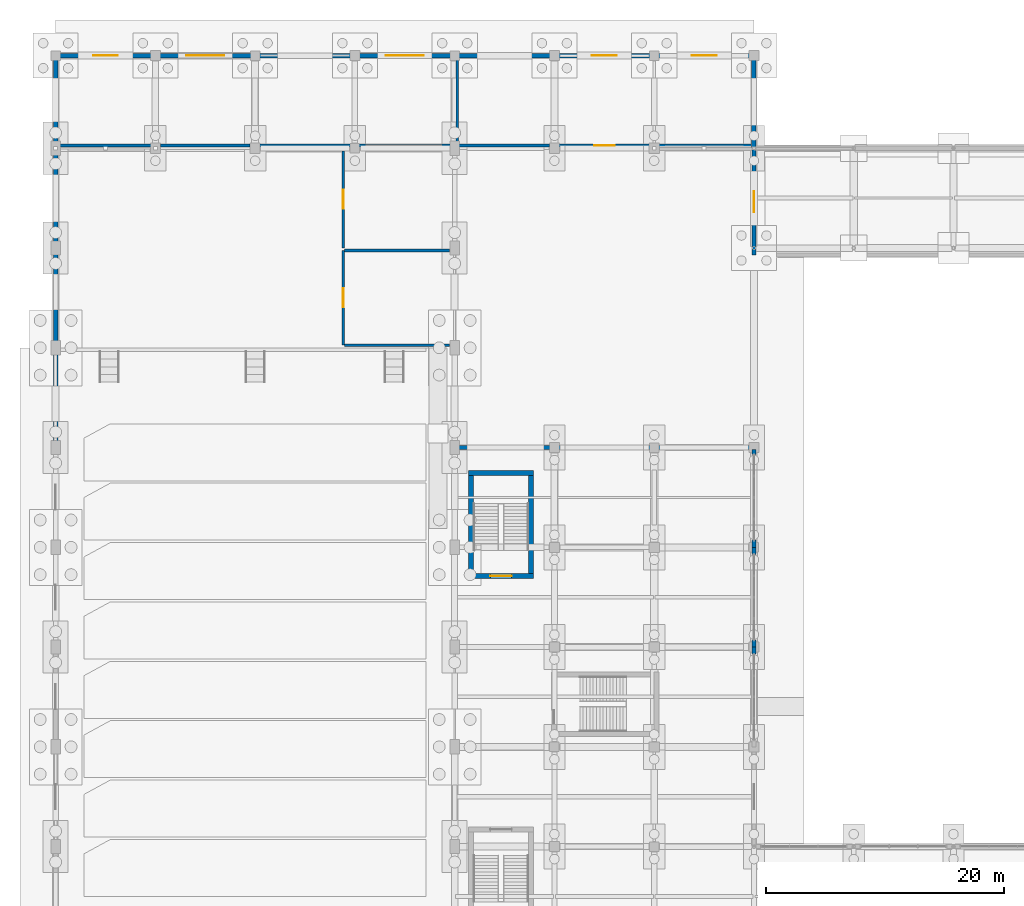
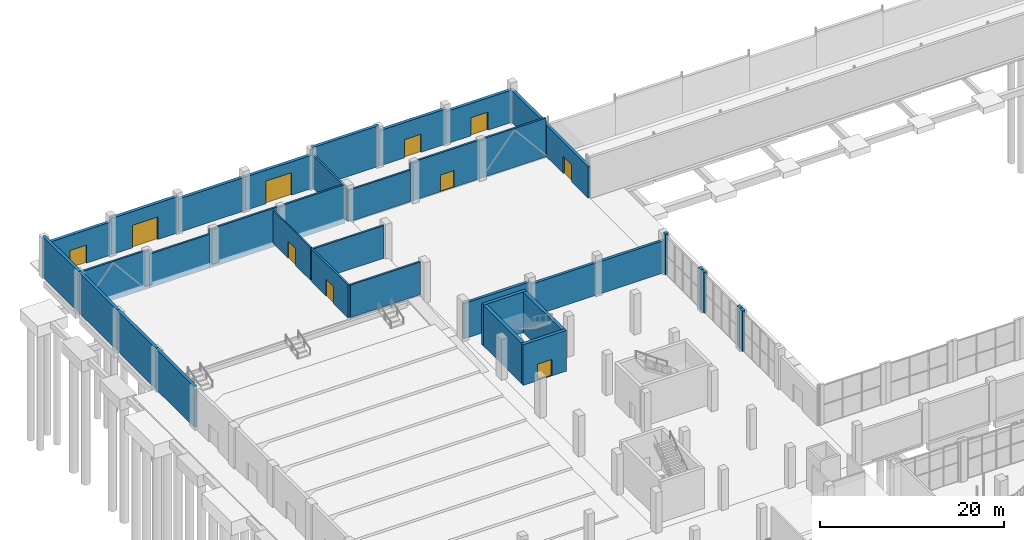
# One storey, part 69 of 82: 34 walls, 10 doors, 10 openings.
"""IFC4 building model written with IfcOpenShell, lengths in metres."""

from ifc_helpers import new_model, si_unit, derived_unit, direction, frame, frame_2d, origin, place, context, subcontext, project, spatial, rectangle, extrude, material, layer, layer_set, type_object, element, fill, save


model = new_model("IFC4")

# Units and contexts
model_context = context("Model", 3, precision=1e-05, world=origin(), true_north=direction((0.0, 1.0)))
body_context = subcontext(model_context, "Body", "Model", "MODEL_VIEW")
ifc_project = project(units=[si_unit("LENGTHUNIT", "METRE"), si_unit("AREAUNIT", "SQUARE_METRE"), si_unit("VOLUMEUNIT", "CUBIC_METRE"), si_unit("PLANEANGLEUNIT", "RADIAN"), si_unit("MASSUNIT", "GRAM", prefix="KILO"), derived_unit("THERMALTRANSMITTANCEUNIT", [(si_unit("POWERUNIT", "WATT"), 1), (si_unit("LENGTHUNIT", "METRE"), -2), (si_unit("THERMODYNAMICTEMPERATUREUNIT", "KELVIN"), -1)])], contexts=[model_context])

# Site, building, storey
site_placement = place(None, origin())
site = spatial("IfcSite", under=ifc_project, at=site_placement, CompositionType="ELEMENT")
building_placement = place(site_placement, origin())
building = spatial("IfcBuilding", under=site, at=building_placement, Name="Barrovel Congress Hotel", CompositionType="ELEMENT")
storey_placement = place(building_placement, origin())
storey = spatial("IfcBuildingStorey", under=building, at=storey_placement, Name="L00", CompositionType="ELEMENT", Elevation=0.0)

# Walls
ifc_material_1 = material(Name="Fired Clay Brick Masonry", Category="masonry")
ifc_layer_1 = layer(ifc_material_1, 0.340087890625)
ifc_layer_set_1 = layer_set([ifc_layer_1], Name="Fired Clay Brick Masonry")
wall_type_1 = type_object("IfcWallType", Name="EW-BRK340", PredefinedType="STANDARD", material=ifc_layer_set_1)
for number, where, z_axis, x_axis, name in (
    (1, (58.800048828125, 62.39990234375, 0.0), (0.0, 0.0, 1.0), (0.0, 1.0, 0.0), "EW:L00:CWJ-B:54.6"),
    (2, (58.800048828125, 63.0, 0.0), (0.0, 0.0, 1.0), (0.0, 1.0, 0.0), "EW:L00:CWJ-A:63.0"),
):
    element("IfcWall", number, at=place(storey_placement, frame(where, z_axis=z_axis, x_axis=x_axis)), inside=storey, type_object=wall_type_1, Name=name, PredefinedType="STANDARD", context=body_context, shape_type="SweptSolid", body=[
        extrude(rectangle(XDim=0.60009765625, YDim=0.340087890625, at=frame_2d((0.300048828125, 0.0))), origin(), (0.0, 0.0, 1.0), 5.39990234375),
    ])
wall_1_placement = place(storey_placement, frame((58.800048828125, 70.800048828125, 0.0), z_axis=(0.0, 0.0, 1.0), x_axis=(0.0, 1.0, 0.0)))
element("IfcWall", 3, at=wall_1_placement, inside=storey, type_object=wall_type_1, Name="EW:L00:CWJ-B:63.0", PredefinedType="STANDARD", context=body_context, shape_type="SweptSolid", body=[
    extrude(rectangle(XDim=0.599853515625, YDim=0.340087890625, at=frame_2d((0.2998046875, 0.0))), origin(), (0.0, 0.0, 1.0), 5.39990234375),
])
wall_2_placement = place(storey_placement, frame((58.800048828125, 71.39990234375, 0.0), z_axis=(0.0, 0.0, 1.0), x_axis=(0.0, 1.0, 0.0)))
element("IfcWall", 4, at=wall_2_placement, inside=storey, type_object=wall_type_1, Name="EW:L00:CWJ-A:71.4", PredefinedType="STANDARD", context=body_context, shape_type="SweptSolid", body=[
    extrude(rectangle(XDim=0.60009765625, YDim=0.340087890625, at=frame_2d((0.300048828125, 0.0))), origin(), (0.0, 0.0, 1.0), 5.39990234375),
])
wall_3_placement = place(storey_placement, frame((58.800048828125, 79.199951171875, 0.0), z_axis=(0.0, 0.0, 1.0), x_axis=(0.0, 1.0, 0.0)))
element("IfcWall", 5, at=wall_3_placement, inside=storey, type_object=wall_type_1, Name="EW:L00:CWJ-B:71.4", PredefinedType="STANDARD", context=body_context, shape_type="SweptSolid", body=[
    extrude(rectangle(XDim=0.429931640625, YDim=0.340087890625, at=frame_2d((0.21484375, 0.0))), origin(), (0.0, 0.0, 1.0), 5.39990234375),
])
wall_4_placement = place(storey_placement, frame((58.800048828125, 79.800048828125, 0.0), z_axis=(0.0, 0.0, 1.0), x_axis=(-1.0, 0.0, 0.0)))
element("IfcWall", 6, at=wall_4_placement, inside=storey, type_object=wall_type_1, Name="EW:L00:FOYN", PredefinedType="STANDARD", context=body_context, shape_type="SweptSolid", body=[
    extrude(rectangle(XDim=16.800048828125, YDim=0.340087890625, at=frame_2d((8.39990234375, 0.0))), origin(), (0.0, 0.0, 1.0), 4.2900390625),
])

# Wall, opening, door
wall_5_placement = place(storey_placement, frame((58.800048828125, 105.0, 0.0), z_axis=(0.0, 0.0, 1.0), x_axis=(0.0, -1.0, 0.0)))
wall_5 = element("IfcWall", 7, at=wall_5_placement, inside=storey, type_object=wall_type_1, Name="EW:L00:NPV-W", PredefinedType="STANDARD", context=body_context, shape_type="SweptSolid", body=[
    extrude(rectangle(XDim=9.0, YDim=0.340087890625, at=frame_2d((4.5, 0.0))), origin(), (0.0, 0.0, 1.0), 4.18994140625),
])
opening_1_placement = place(wall_5_placement, frame((3.60009765625, 0.0, 0.0)))
opening_1 = element("IfcOpeningElement", 8, at=opening_1_placement, cuts=wall_5, Name="Opening ED-03", PredefinedType="OPENING", context=body_context, shape_type="SweptSolid", body=[
    extrude(rectangle(XDim=1.800048828125, YDim=2.300048828125, at=frame_2d((0.89990234375, 1.14990234375))), frame((0.0, 0.18017578125, 0.0), z_axis=(0.0, -1.0, 0.0), x_axis=(1.0, 0.0, 0.0)), (0.0, 0.0, 1.0), 0.360107421875),
])
ifc_material_2 = material(Name="Anodised Aluminium Glazed Door", Category="aluminium")
door_type_1 = type_object("IfcDoorType", Name="EDR-ED-03", OperationType="NOTDEFINED", PredefinedType="DOOR", material=ifc_material_2)
door_1_placement = place(opening_1_placement, origin())
door_1 = element("IfcDoor", 9, at=door_1_placement, inside=storey, type_object=door_type_1, Name="L00 North Pavilion West Link Door", OperationType="DOUBLE_DOOR_SINGLE_SWING", OverallHeight=2.300048828125, OverallWidth=1.800048828125, PredefinedType="DOOR", context=body_context, shape_type="SweptSolid", body=[
    extrude(rectangle(XDim=1.800048828125, YDim=2.300048828125, at=frame_2d((0.89990234375, 1.14990234375))), frame((0.0, 0.02490234375, 0.0), z_axis=(0.0, -1.0, 0.0), x_axis=(1.0, 0.0, 0.0)), (0.0, 0.0, 1.0), 0.050048828125),
])
fill(opening_1, door_1)

# Wall
wall_6_placement = place(storey_placement, frame((42.0, 79.800048828125, 0.0), z_axis=(0.0, 0.0, 1.0), x_axis=(-1.0, 0.0, 0.0)))
element("IfcWall", 10, at=wall_6_placement, inside=storey, type_object=wall_type_1, Name="EW:L00:FOYN:P02", PredefinedType="STANDARD", context=body_context, shape_type="SweptSolid", body=[
    extrude(rectangle(XDim=8.39990234375, YDim=0.340087890625, at=frame_2d((4.199951171875, 0.0))), origin(), (0.0, 0.0, 1.0), 4.679931640625),
])

# Wall, opening, door
ifc_layer_2 = layer(ifc_material_1, 0.3798828125)
ifc_layer_set_2 = layer_set([ifc_layer_2], Name="Fired Clay Brick Masonry")
wall_type_2 = type_object("IfcWallType", Name="EW-BRK380", PredefinedType="STANDARD", material=ifc_layer_set_2)
wall_7_placement = place(storey_placement, frame((58.800048828125, 112.800048828125, 0.0), z_axis=(0.0, 0.0, 1.0), x_axis=(-1.0, 0.0, 0.0)))
wall_7 = element("IfcWall", 11, at=wall_7_placement, inside=storey, type_object=wall_type_2, Name="EW:L00:DOCKN:6", PredefinedType="STANDARD", context=body_context, shape_type="SweptSolid", body=[
    extrude(rectangle(XDim=8.400146484375, YDim=0.3798828125, at=frame_2d((4.2001953125, 0.0))), origin(), (0.0, 0.0, 1.0), 4.2900390625),
])
opening_2_placement = place(wall_7_placement, frame((5.25, 0.0, 0.0), z_axis=(0.0, 0.0, 1.0), x_axis=(-1.0, 0.0, 0.0)))
opening_2 = element("IfcOpeningElement", 12, at=opening_2_placement, cuts=wall_7, Name="Opening ED-01", PredefinedType="OPENING", context=body_context, shape_type="SweptSolid", body=[
    extrude(rectangle(XDim=2.10009765625, YDim=2.39990234375, at=frame_2d((1.050048828125, 1.199951171875))), frame((0.0, 0.199951171875, 0.0), z_axis=(0.0, -1.0, 0.0), x_axis=(1.0, 0.0, 0.0)), (0.0, 0.0, 1.0), 0.39990234375),
])
door_type_2 = type_object("IfcDoorType", Name="EDR-ED-01", OperationType="NOTDEFINED", PredefinedType="DOOR", material=ifc_material_2)
door_2_placement = place(opening_2_placement, origin())
door_2 = element("IfcDoor", 13, at=door_2_placement, inside=storey, type_object=door_type_2, Name="Grade Exit Door E-07", OperationType="DOUBLE_DOOR_SINGLE_SWING", OverallHeight=2.39990234375, OverallWidth=2.10009765625, PredefinedType="DOOR", context=body_context, shape_type="SweptSolid", body=[
    extrude(rectangle(XDim=2.10009765625, YDim=2.39990234375, at=frame_2d((1.050048828125, 1.199951171875))), frame((0.0, 0.02490234375, 0.0), z_axis=(0.0, -1.0, 0.0), x_axis=(1.0, 0.0, 0.0)), (0.0, 0.0, 1.0), 0.050048828125),
])
fill(opening_2, door_2)

wall_8_placement = place(storey_placement, frame((50.39990234375, 112.800048828125, 0.0), z_axis=(0.0, 0.0, 1.0), x_axis=(-1.0, 0.0, 0.0)))
wall_8 = element("IfcWall", 14, at=wall_8_placement, inside=storey, type_object=wall_type_2, Name="EW:L00:DOCKN:5", PredefinedType="STANDARD", context=body_context, shape_type="SweptSolid", body=[
    extrude(rectangle(XDim=8.39990234375, YDim=0.3798828125, at=frame_2d((4.199951171875, 0.0))), origin(), (0.0, 0.0, 1.0), 4.679931640625),
])
opening_3_placement = place(wall_8_placement, frame((5.25, 0.0, 0.0), z_axis=(0.0, 0.0, 1.0), x_axis=(-1.0, 0.0, 0.0)))
opening_3 = element("IfcOpeningElement", 15, at=opening_3_placement, cuts=wall_8, Name="Opening ED-01", PredefinedType="OPENING", context=body_context, shape_type="SweptSolid", body=[
    extrude(rectangle(XDim=2.10009765625, YDim=2.39990234375, at=frame_2d((1.050048828125, 1.199951171875))), frame((0.0, 0.199951171875, 0.0), z_axis=(0.0, -1.0, 0.0), x_axis=(1.0, 0.0, 0.0)), (0.0, 0.0, 1.0), 0.39990234375),
])
door_3_placement = place(opening_3_placement, origin())
door_3 = element("IfcDoor", 16, at=door_3_placement, inside=storey, type_object=door_type_2, Name="Grade Exit Door E-08", OperationType="DOUBLE_DOOR_SINGLE_SWING", OverallHeight=2.39990234375, OverallWidth=2.10009765625, PredefinedType="DOOR", context=body_context, shape_type="SweptSolid", body=[
    extrude(rectangle(XDim=2.10009765625, YDim=2.39990234375, at=frame_2d((1.050048828125, 1.199951171875))), frame((0.0, 0.02490234375, 0.0), z_axis=(0.0, -1.0, 0.0), x_axis=(1.0, 0.0, 0.0)), (0.0, 0.0, 1.0), 0.050048828125),
])
fill(opening_3, door_3)

# Wall
wall_9_placement = place(storey_placement, frame((42.0, 112.800048828125, 0.0), z_axis=(0.0, 0.0, 1.0), x_axis=(-1.0, 0.0, 0.0)))
element("IfcWall", 17, at=wall_9_placement, inside=storey, type_object=wall_type_2, Name="EW:L00:DOCKN:4", PredefinedType="STANDARD", context=body_context, shape_type="SweptSolid", body=[
    extrude(rectangle(XDim=8.39990234375, YDim=0.3798828125, at=frame_2d((4.199951171875, 0.0))), origin(), (0.0, 0.0, 1.0), 5.39990234375),
])

# Wall, opening, door
wall_10_placement = place(storey_placement, frame((33.60009765625, 112.800048828125, 0.0), z_axis=(0.0, 0.0, 1.0), x_axis=(-1.0, 0.0, 0.0)))
wall_10 = element("IfcWall", 18, at=wall_10_placement, inside=storey, type_object=wall_type_2, Name="EW:L00:DOCKN:3", PredefinedType="STANDARD", context=body_context, shape_type="SweptSolid", body=[
    extrude(rectangle(XDim=8.400146484375, YDim=0.3798828125, at=frame_2d((4.2001953125, 0.0))), origin(), (0.0, 0.0, 1.0), 4.43994140625),
])
opening_4_placement = place(wall_10_placement, frame((5.800048828125, 0.0, 0.0), z_axis=(0.0, 0.0, 1.0), x_axis=(-1.0, 0.0, 0.0)))
opening_4 = element("IfcOpeningElement", 19, at=opening_4_placement, cuts=wall_10, Name="Opening ED-05", PredefinedType="OPENING", context=body_context, shape_type="SweptSolid", body=[
    extrude(rectangle(XDim=3.199951171875, YDim=3.0, at=frame_2d((1.60009765625, 1.5))), frame((0.0, 0.199951171875, 0.0), z_axis=(0.0, -1.0, 0.0), x_axis=(1.0, 0.0, 0.0)), (0.0, 0.0, 1.0), 0.39990234375),
])
ifc_material_3 = material(Name="Painted Hollow-Metal Steel Door", Category="steel")
door_type_3 = type_object("IfcDoorType", Name="EDR-ED-05", OperationType="NOTDEFINED", PredefinedType="DOOR", material=ifc_material_3)
door_4_placement = place(opening_4_placement, origin())
door_4 = element("IfcDoor", 20, at=door_4_placement, inside=storey, type_object=door_type_3, Name="Loading Dock Marshalling Door 3", OperationType="DOUBLE_DOOR_SINGLE_SWING", OverallHeight=3.0, OverallWidth=3.199951171875, PredefinedType="DOOR", context=body_context, shape_type="SweptSolid", body=[
    extrude(rectangle(XDim=3.199951171875, YDim=3.0, at=frame_2d((1.60009765625, 1.5))), frame((0.0, 0.02490234375, 0.0), z_axis=(0.0, -1.0, 0.0), x_axis=(1.0, 0.0, 0.0)), (0.0, 0.0, 1.0), 0.050048828125),
])
fill(opening_4, door_4)

# Wall
wall_11_placement = place(storey_placement, frame((25.199951171875, 112.800048828125, 0.0), z_axis=(0.0, 0.0, 1.0), x_axis=(-1.0, 0.0, 0.0)))
element("IfcWall", 21, at=wall_11_placement, inside=storey, type_object=wall_type_2, Name="EW:L00:DOCKN:2", PredefinedType="STANDARD", context=body_context, shape_type="SweptSolid", body=[
    extrude(rectangle(XDim=8.39990234375, YDim=0.3798828125, at=frame_2d((4.199951171875, 0.0))), origin(), (0.0, 0.0, 1.0), 4.4560546875),
])

# Wall, opening, door
wall_12_placement = place(storey_placement, frame((16.800048828125, 112.800048828125, 0.0), z_axis=(0.0, 0.0, 1.0), x_axis=(-1.0, 0.0, 0.0)))
wall_12 = element("IfcWall", 22, at=wall_12_placement, inside=storey, type_object=wall_type_2, Name="EW:L00:DOCKN:1", PredefinedType="STANDARD", context=body_context, shape_type="SweptSolid", body=[
    extrude(rectangle(XDim=8.400146484375, YDim=0.3798828125, at=frame_2d((4.2001953125, 0.0))), origin(), (0.0, 0.0, 1.0), 4.830078125),
])
opening_5_placement = place(wall_12_placement, frame((5.800048828125, 0.0, 0.0), z_axis=(0.0, 0.0, 1.0), x_axis=(-1.0, 0.0, 0.0)))
opening_5 = element("IfcOpeningElement", 23, at=opening_5_placement, cuts=wall_12, Name="Opening ED-05", PredefinedType="OPENING", context=body_context, shape_type="SweptSolid", body=[
    extrude(rectangle(XDim=3.199951171875, YDim=3.0, at=frame_2d((1.60009765625, 1.5))), frame((0.0, 0.199951171875, 0.0), z_axis=(0.0, -1.0, 0.0), x_axis=(1.0, 0.0, 0.0)), (0.0, 0.0, 1.0), 0.39990234375),
])
door_5_placement = place(opening_5_placement, origin())
door_5 = element("IfcDoor", 24, at=door_5_placement, inside=storey, type_object=door_type_3, Name="Loading Dock Marshalling Door 1", OperationType="DOUBLE_DOOR_SINGLE_SWING", OverallHeight=3.0, OverallWidth=3.199951171875, PredefinedType="DOOR", context=body_context, shape_type="SweptSolid", body=[
    extrude(rectangle(XDim=3.199951171875, YDim=3.0, at=frame_2d((1.60009765625, 1.5))), frame((0.0, 0.02490234375, 0.0), z_axis=(0.0, -1.0, 0.0), x_axis=(1.0, 0.0, 0.0)), (0.0, 0.0, 1.0), 0.050048828125),
])
fill(opening_5, door_5)

wall_13_placement = place(storey_placement, frame((8.39990234375, 112.800048828125, 0.0), z_axis=(0.0, 0.0, 1.0), x_axis=(-1.0, 0.0, 0.0)))
wall_13 = element("IfcWall", 25, at=wall_13_placement, inside=storey, type_object=wall_type_2, Name="EW:L00:DOCKN:0", PredefinedType="STANDARD", context=body_context, shape_type="SweptSolid", body=[
    extrude(rectangle(XDim=8.39990234375, YDim=0.3798828125, at=frame_2d((4.199951171875, 0.0))), origin(), (0.0, 0.0, 1.0), 4.389892578125),
])
opening_6_placement = place(wall_13_placement, frame((5.25, 0.0, 0.0), z_axis=(0.0, 0.0, 1.0), x_axis=(-1.0, 0.0, 0.0)))
opening_6 = element("IfcOpeningElement", 26, at=opening_6_placement, cuts=wall_13, Name="Opening ED-01", PredefinedType="OPENING", context=body_context, shape_type="SweptSolid", body=[
    extrude(rectangle(XDim=2.10009765625, YDim=2.39990234375, at=frame_2d((1.050048828125, 1.199951171875))), frame((0.0, 0.199951171875, 0.0), z_axis=(0.0, -1.0, 0.0), x_axis=(1.0, 0.0, 0.0)), (0.0, 0.0, 1.0), 0.39990234375),
])
door_6_placement = place(opening_6_placement, origin())
door_6 = element("IfcDoor", 27, at=door_6_placement, inside=storey, type_object=door_type_2, Name="Grade Exit Door E-09", OperationType="DOUBLE_DOOR_SINGLE_SWING", OverallHeight=2.39990234375, OverallWidth=2.10009765625, PredefinedType="DOOR", context=body_context, shape_type="SweptSolid", body=[
    extrude(rectangle(XDim=2.10009765625, YDim=2.39990234375, at=frame_2d((1.050048828125, 1.199951171875))), frame((0.0, 0.02490234375, 0.0), z_axis=(0.0, -1.0, 0.0), x_axis=(1.0, 0.0, 0.0)), (0.0, 0.0, 1.0), 0.050048828125),
])
fill(opening_6, door_6)

# Walls
wall_14_placement = place(storey_placement, frame((58.800048828125, 105.0, 0.0), z_axis=(0.0, 0.0, 1.0), x_axis=(0.0, 1.0, 0.0)))
element("IfcWall", 28, at=wall_14_placement, inside=storey, type_object=wall_type_2, Name="EW:L00:DOCKE", PredefinedType="STANDARD", context=body_context, shape_type="SweptSolid", body=[
    extrude(rectangle(XDim=7.800048828125, YDim=0.3798828125, at=frame_2d((3.89990234375, 0.0))), origin(), (0.0, 0.0, 1.0), 4.2900390625),
])
wall_15_placement = place(storey_placement, frame((0.0, 112.800048828125, 0.0), z_axis=(0.0, 0.0, 1.0), x_axis=(0.0, -1.0, 0.0)))
element("IfcWall", 29, at=wall_15_placement, inside=storey, type_object=wall_type_2, Name="EW:L00:V1W:105.0", PredefinedType="STANDARD", context=body_context, shape_type="SweptSolid", body=[
    extrude(rectangle(XDim=7.800048828125, YDim=0.3798828125, at=frame_2d((3.89990234375, 0.0))), origin(), (0.0, 0.0, 1.0), 5.39990234375),
])
wall_16_placement = place(storey_placement, frame((0.0, 105.0, 0.0), z_axis=(0.0, 0.0, 1.0), x_axis=(0.0, -1.0, 0.0)))
element("IfcWall", 30, at=wall_16_placement, inside=storey, type_object=wall_type_2, Name="EW:L00:V1W:96.6", PredefinedType="STANDARD", context=body_context, shape_type="SweptSolid", body=[
    extrude(rectangle(XDim=8.39990234375, YDim=0.3798828125, at=frame_2d((4.199951171875, 0.0))), origin(), (0.0, 0.0, 1.0), 5.39990234375),
])
wall_17_placement = place(storey_placement, frame((0.0, 96.60009765625, 0.0), z_axis=(0.0, 0.0, 1.0), x_axis=(0.0, -1.0, 0.0)))
element("IfcWall", 31, at=wall_17_placement, inside=storey, type_object=wall_type_2, Name="EW:L00:V1W:88.2", PredefinedType="STANDARD", context=body_context, shape_type="SweptSolid", body=[
    extrude(rectangle(XDim=8.400146484375, YDim=0.3798828125, at=frame_2d((4.2001953125, 0.0))), origin(), (0.0, 0.0, 1.0), 5.39990234375),
])
wall_18_placement = place(storey_placement, frame((0.0, 88.199951171875, 0.0), z_axis=(0.0, 0.0, 1.0), x_axis=(0.0, -1.0, 0.0)))
element("IfcWall", 32, at=wall_18_placement, inside=storey, type_object=wall_type_2, Name="EW:L00:V1W:79.8", PredefinedType="STANDARD", context=body_context, shape_type="SweptSolid", body=[
    extrude(rectangle(XDim=8.39990234375, YDim=0.3798828125, at=frame_2d((4.199951171875, 0.0))), origin(), (0.0, 0.0, 1.0), 5.39990234375),
])

# Wall, opening, door
ifc_material_4 = material(Name="Gypsum Acoustic Stud", Category="gypsum")
ifc_layer_3 = layer(ifc_material_4, 0.179931640625)
ifc_layer_set_3 = layer_set([ifc_layer_3], Name="Gypsum Acoustic Stud")
wall_type_3 = type_object("IfcWallType", Name="PW-ACU-180", PredefinedType="PARTITIONING", material=ifc_layer_set_3)
wall_19_placement = place(storey_placement, frame((24.219970703125, 96.6201171875, 0.800048828125), z_axis=(0.0, 0.0, 1.0), x_axis=(0.0, 1.0, 0.0)))
wall_19 = element("IfcWall", 33, at=wall_19_placement, inside=storey, type_object=wall_type_3, Name="RW:SP:L00:GRN-2:W", PredefinedType="PARTITIONING", context=body_context, shape_type="SweptSolid", body=[
    extrude(rectangle(XDim=8.159912109375, YDim=0.179931640625, at=frame_2d((4.080078125, 0.0))), origin(), (0.0, 0.0, 1.0), 4.3349609375),
])
opening_7_placement = place(wall_19_placement, frame((3.280029296875, 0.0, 0.0)))
opening_7 = element("IfcOpeningElement", 34, at=opening_7_placement, cuts=wall_19, Name="Opening ID-MTG", PredefinedType="OPENING", context=body_context, shape_type="SweptSolid", body=[
    extrude(rectangle(XDim=1.60009765625, YDim=2.25, at=frame_2d((0.800048828125, 1.125))), frame((0.0, 0.10009765625, 0.0), z_axis=(0.0, -1.0, 0.0), x_axis=(1.0, 0.0, 0.0)), (0.0, 0.0, 1.0), 0.199951171875),
])
ifc_material_5 = material(Name="Solid Oak Acoustic Timber Door", Category="wood")
door_type_4 = type_object("IfcDoorType", Name="IDR-ID-MTG", OperationType="NOTDEFINED", PredefinedType="DOOR", material=ifc_material_5)
door_7_placement = place(opening_7_placement, origin())
door_7 = element("IfcDoor", 35, at=door_7_placement, inside=storey, type_object=door_type_4, Name="RD:SP:L00:GRN-2", OperationType="DOUBLE_DOOR_SINGLE_SWING", OverallHeight=2.25, OverallWidth=1.60009765625, PredefinedType="DOOR", context=body_context, shape_type="SweptSolid", body=[
    extrude(rectangle(XDim=1.60009765625, YDim=2.25, at=frame_2d((0.800048828125, 1.125))), frame((0.0, 0.02490234375, 0.0), z_axis=(0.0, -1.0, 0.0), x_axis=(1.0, 0.0, 0.0)), (0.0, 0.0, 1.0), 0.050048828125),
])
fill(opening_7, door_7)

# Wall
ifc_layer_4 = layer(ifc_material_1, 0.239990234375)
ifc_layer_set_4 = layer_set([ifc_layer_4], Name="Fired Clay Brick Masonry")
wall_type_4 = type_object("IfcWallType", Name="PW-MAS-240", PredefinedType="PARTITIONING", material=ifc_layer_set_4)
wall_20_placement = place(storey_placement, frame((16.375, 105.219970703125, 0.0), z_axis=(0.0, 0.0, 1.0), x_axis=(1.0, 0.0, 0.0)))
element("IfcWall", 36, at=wall_20_placement, inside=storey, type_object=wall_type_4, Name="RW:SP:L00:DOCK:S", PredefinedType="PARTITIONING", context=body_context, shape_type="SweptSolid", body=[
    extrude(rectangle(XDim=17.0048828125, YDim=0.239990234375, at=frame_2d((8.50244140625, 0.0))), origin(), (0.0, 0.0, 1.0), 5.135009765625),
])

# Wall, opening, door
wall_21_placement = place(storey_placement, frame((41.574951171875, 105.219970703125, 0.0), z_axis=(0.0, 0.0, 1.0), x_axis=(1.0, 0.0, 0.0)))
wall_21 = element("IfcWall", 37, at=wall_21_placement, inside=storey, type_object=wall_type_4, Name="RW:SP:L00:AV-ST:S", PredefinedType="PARTITIONING", context=body_context, shape_type="SweptSolid", body=[
    extrude(rectangle(XDim=17.03515625, YDim=0.239990234375, at=frame_2d((8.517578125, 0.0))), origin(), (0.0, 0.0, 1.0), 5.135009765625),
])
opening_8_placement = place(wall_21_placement, frame((3.7900390625, 0.0, 0.0)))
opening_8 = element("IfcOpeningElement", 38, at=opening_8_placement, cuts=wall_21, Name="Opening ID-KIT", PredefinedType="OPENING", context=body_context, shape_type="SweptSolid", body=[
    extrude(rectangle(XDim=1.699951171875, YDim=2.199951171875, at=frame_2d((0.85009765625, 1.10009765625))), frame((0.0, 0.1298828125, 0.0), z_axis=(0.0, -1.0, 0.0), x_axis=(1.0, 0.0, 0.0)), (0.0, 0.0, 1.0), 0.260009765625),
])
ifc_material_6 = material(Name="Brushed Stainless Steel", Category="steel")
door_type_5 = type_object("IfcDoorType", Name="IDR-ID-KIT", OperationType="NOTDEFINED", PredefinedType="DOOR", material=ifc_material_6)
door_8_placement = place(opening_8_placement, origin())
door_8 = element("IfcDoor", 39, at=door_8_placement, inside=storey, type_object=door_type_5, Name="RD:SP:L00:AV-ST", OperationType="DOUBLE_DOOR_SINGLE_SWING", OverallHeight=2.199951171875, OverallWidth=1.699951171875, PredefinedType="DOOR", context=body_context, shape_type="SweptSolid", body=[
    extrude(rectangle(XDim=1.699951171875, YDim=2.199951171875, at=frame_2d((0.85009765625, 1.10009765625))), frame((0.0, 0.02490234375, 0.0), z_axis=(0.0, -1.0, 0.0), x_axis=(1.0, 0.0, 0.0)), (0.0, 0.0, 1.0), 0.050048828125),
])
fill(opening_8, door_8)

# Wall
wall_22_placement = place(storey_placement, frame((33.820068359375, 105.340087890625, 0.0), z_axis=(0.0, 0.0, 1.0), x_axis=(0.0, 1.0, 0.0)))
element("IfcWall", 40, at=wall_22_placement, inside=storey, type_object=wall_type_4, Name="RW:SP:L00:AV-ST:W", PredefinedType="PARTITIONING", context=body_context, shape_type="SweptSolid", body=[
    extrude(rectangle(XDim=7.27001953125, YDim=0.239990234375, at=frame_2d((3.635009765625, 0.0))), origin(), (0.0, 0.0, 1.0), 4.340087890625),
])

# Wall, opening, door
wall_23_placement = place(storey_placement, frame((24.219970703125, 88.419921875, 0.800048828125), z_axis=(0.0, 0.0, 1.0), x_axis=(0.0, 1.0, 0.0)))
wall_23 = element("IfcWall", 41, at=wall_23_placement, inside=storey, type_object=wall_type_4, Name="RW:SP:L00:GRN-1:W", PredefinedType="PARTITIONING", context=body_context, shape_type="SweptSolid", body=[
    extrude(rectangle(XDim=7.9599609375, YDim=0.239990234375, at=frame_2d((3.97998046875, 0.0))), origin(), (0.0, 0.0, 1.0), 4.3349609375),
])
opening_9_placement = place(wall_23_placement, frame((3.179931640625, 0.0, 0.0)))
opening_9 = element("IfcOpeningElement", 42, at=opening_9_placement, cuts=wall_23, Name="Opening ID-MTG", PredefinedType="OPENING", context=body_context, shape_type="SweptSolid", body=[
    extrude(rectangle(XDim=1.60009765625, YDim=2.25, at=frame_2d((0.800048828125, 1.125))), frame((0.0, 0.1298828125, 0.0), z_axis=(0.0, -1.0, 0.0), x_axis=(1.0, 0.0, 0.0)), (0.0, 0.0, 1.0), 0.260009765625),
])
door_9_placement = place(opening_9_placement, origin())
door_9 = element("IfcDoor", 43, at=door_9_placement, inside=storey, type_object=door_type_4, Name="RD:SP:L00:GRN-1", OperationType="DOUBLE_DOOR_SINGLE_SWING", OverallHeight=2.25, OverallWidth=1.60009765625, PredefinedType="DOOR", context=body_context, shape_type="SweptSolid", body=[
    extrude(rectangle(XDim=1.60009765625, YDim=2.25, at=frame_2d((0.800048828125, 1.125))), frame((0.0, 0.02490234375, 0.0), z_axis=(0.0, -1.0, 0.0), x_axis=(1.0, 0.0, 0.0)), (0.0, 0.0, 1.0), 0.050048828125),
])
fill(opening_9, door_9)

# Walls
for number, where, z_axis, x_axis, name in (
    (44, (24.340087890625, 88.419921875, 0.800048828125), (0.0, 0.0, 1.0), (1.0, 0.0, 0.0), "RW:SP:L00:GRN-1:S"),
    (45, (24.340087890625, 96.3798828125, 0.800048828125), (0.0, 0.0, 1.0), (1.0, 0.0, 0.0), "RW:SP:L00:GRN-1:N"),
):
    element("IfcWall", number, at=place(storey_placement, frame(where, z_axis=z_axis, x_axis=x_axis)), inside=storey, type_object=wall_type_4, Name=name, PredefinedType="PARTITIONING", context=body_context, shape_type="SweptSolid", body=[
        extrude(rectangle(XDim=8.83984375, YDim=0.239990234375, at=frame_2d((4.419921875, 0.0))), origin(), (0.0, 0.0, 1.0), 4.3349609375),
    ])
wall_24_placement = place(storey_placement, frame((0.18994140625, 105.219970703125, 0.0), z_axis=(0.0, 0.0, 1.0), x_axis=(1.0, 0.0, 0.0)))
element("IfcWall", 46, at=wall_24_placement, inside=storey, type_object=wall_type_4, Name="RW:SP:L00:DOCK:S:P01", PredefinedType="PARTITIONING", context=body_context, shape_type="SweptSolid", body=[
    extrude(rectangle(XDim=8.635009765625, YDim=0.239990234375, at=frame_2d((4.3173828125, 0.0))), origin(), (0.0, 0.0, 1.0), 5.135009765625),
])
wall_25_placement = place(storey_placement, frame((8.824951171875, 105.219970703125, 0.0), z_axis=(0.0, 0.0, 1.0), x_axis=(1.0, 0.0, 0.0)))
element("IfcWall", 47, at=wall_25_placement, inside=storey, type_object=wall_type_4, Name="RW:SP:L00:DOCK:S:P02", PredefinedType="PARTITIONING", context=body_context, shape_type="SweptSolid", body=[
    extrude(rectangle(XDim=7.550048828125, YDim=0.239990234375, at=frame_2d((3.77490234375, 0.0))), origin(), (0.0, 0.0, 1.0), 4.489990234375),
])
wall_26_placement = place(storey_placement, frame((33.820068359375, 105.219970703125, 0.0), z_axis=(0.0, 0.0, 1.0), x_axis=(1.0, 0.0, 0.0)))
element("IfcWall", 48, at=wall_26_placement, inside=storey, type_object=wall_type_4, Name="RW:SP:L00:AV-ST:S:P01", PredefinedType="PARTITIONING", context=body_context, shape_type="SweptSolid", body=[
    extrude(rectangle(XDim=7.7548828125, YDim=0.239990234375, at=frame_2d((3.87744140625, 0.0))), origin(), (0.0, 0.0, 1.0), 4.18994140625),
])

# Wall, opening, door
ifc_material_7 = material(Name="Concrete C50", Category="concrete")
ifc_layer_5 = layer(ifc_material_7, 0.419921875)
ifc_layer_set_5 = layer_set([ifc_layer_5], Name="Concrete C50")
wall_type_5 = type_object("IfcWallType", Name="SW-C50-420", PredefinedType="SHEAR", material=ifc_layer_set_5)
wall_27_placement = place(storey_placement, frame((34.780029296875, 68.989990234375, 0.0), z_axis=(0.0, 0.0, 1.0), x_axis=(1.0, 0.0, 0.0)))
wall_27 = element("IfcWall", 49, at=wall_27_placement, inside=storey, type_object=wall_type_5, Name="SHW:XS-07:L00:S", PredefinedType="SHEAR", context=body_context, shape_type="SweptSolid", body=[
    extrude(rectangle(XDim=5.43994140625, YDim=0.419921875, at=frame_2d((2.719970703125, 0.0))), origin(), (0.0, 0.0, 1.0), 5.39990234375),
])
opening_10_placement = place(wall_27_placement, frame((3.6201171875, 0.0, 0.0), z_axis=(0.0, 0.0, 1.0), x_axis=(-1.0, 0.0, 0.0)))
opening_10 = element("IfcOpeningElement", 50, at=opening_10_placement, cuts=wall_27, Name="Opening ID-ST2", PredefinedType="OPENING", context=body_context, shape_type="SweptSolid", body=[
    extrude(rectangle(XDim=1.800048828125, YDim=2.199951171875, at=frame_2d((0.89990234375, 1.10009765625))), frame((0.0, 0.219970703125, 0.0), z_axis=(0.0, -1.0, 0.0), x_axis=(1.0, 0.0, 0.0)), (0.0, 0.0, 1.0), 0.43994140625),
])
door_type_6 = type_object("IfcDoorType", Name="IDR-ID-ST2", OperationType="NOTDEFINED", PredefinedType="DOOR", material=ifc_material_3)
door_10_placement = place(opening_10_placement, origin())
door_10 = element("IfcDoor", 51, at=door_10_placement, inside=storey, type_object=door_type_6, Name="Stair Core Fire Door XS-07-L00", OperationType="DOUBLE_DOOR_SINGLE_SWING", OverallHeight=2.199951171875, OverallWidth=1.800048828125, PredefinedType="DOOR", context=body_context, shape_type="SweptSolid", body=[
    extrude(rectangle(XDim=1.800048828125, YDim=2.199951171875, at=frame_2d((0.89990234375, 1.10009765625))), frame((0.0, 0.02490234375, 0.0), z_axis=(0.0, -1.0, 0.0), x_axis=(1.0, 0.0, 0.0)), (0.0, 0.0, 1.0), 0.050048828125),
])
fill(opening_10, door_10)

# Walls
wall_28_placement = place(storey_placement, frame((40.010009765625, 68.780029296875, 0.0), z_axis=(0.0, 0.0, 1.0), x_axis=(0.0, 1.0, 0.0)))
element("IfcWall", 52, at=wall_28_placement, inside=storey, type_object=wall_type_5, Name="SHW:XS-07:L00:E", PredefinedType="SHEAR", context=body_context, shape_type="SweptSolid", body=[
    extrude(rectangle(XDim=9.080078125, YDim=0.419921875, at=frame_2d((4.5400390625, 0.0))), origin(), (0.0, 0.0, 1.0), 5.39990234375),
])
wall_29_placement = place(storey_placement, frame((40.219970703125, 77.64990234375, 0.0), z_axis=(0.0, 0.0, 1.0), x_axis=(-1.0, 0.0, 0.0)))
element("IfcWall", 53, at=wall_29_placement, inside=storey, type_object=wall_type_5, Name="SHW:XS-07:L00:N", PredefinedType="SHEAR", context=body_context, shape_type="SweptSolid", body=[
    extrude(rectangle(XDim=5.43994140625, YDim=0.419921875, at=frame_2d((2.719970703125, 0.0))), origin(), (0.0, 0.0, 1.0), 5.39990234375),
])
wall_30_placement = place(storey_placement, frame((34.989990234375, 77.860107421875, 0.0), z_axis=(0.0, 0.0, 1.0), x_axis=(0.0, -1.0, 0.0)))
element("IfcWall", 54, at=wall_30_placement, inside=storey, type_object=wall_type_5, Name="SHW:XS-07:L00:W", PredefinedType="SHEAR", context=body_context, shape_type="SweptSolid", body=[
    extrude(rectangle(XDim=9.080078125, YDim=0.419921875, at=frame_2d((4.5400390625, 0.0))), origin(), (0.0, 0.0, 1.0), 5.39990234375),
])

save(model, "model.ifc")
